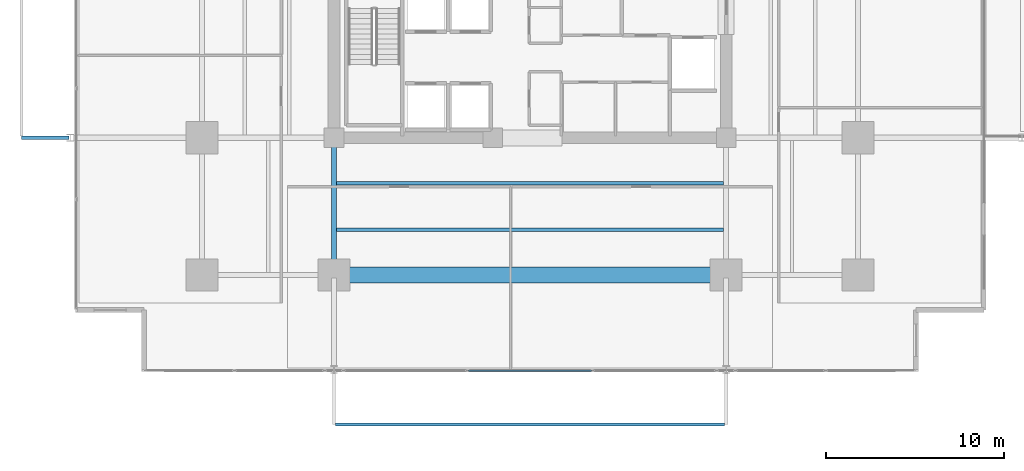
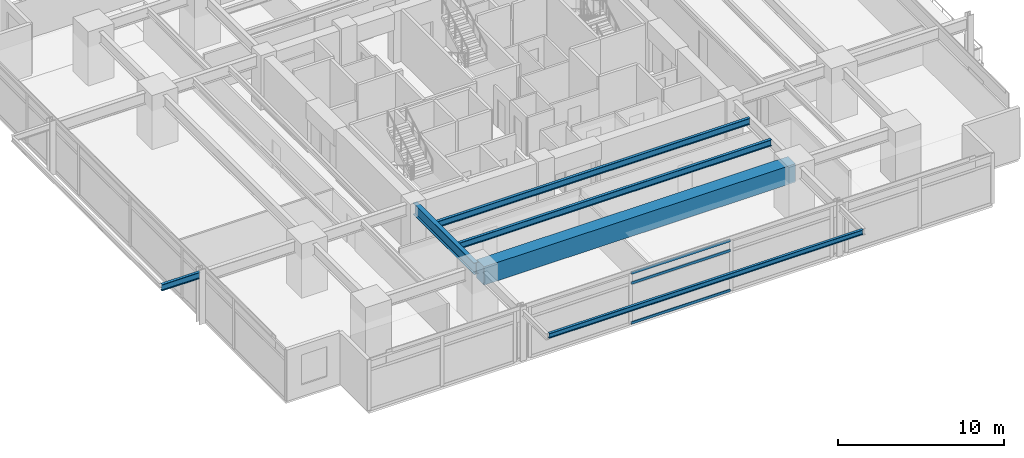
# One storey, part 5 of 21: 6 beams, 3 members, 1 element without a shape of its own.
"""IFC4 building model written with IfcOpenShell, lengths in metres."""

from ifc_helpers import new_model, si_unit, direction, frame, origin, origin_2d, place, context, subcontext, project, spatial, rectangle, hollow_rectangle, i_section, extrude, material, material_profile, profile_set, type_object, element, aggregate, save


model = new_model("IFC4")

# Units and contexts
model_context = context("Model", 3, precision=1e-05, world=origin(), true_north=direction((0.0, 1.0)))
body_context = subcontext(model_context, "Body", "Model", "MODEL_VIEW")
ifc_project = project(units=[si_unit("LENGTHUNIT", "METRE"), si_unit("AREAUNIT", "SQUARE_METRE"), si_unit("VOLUMEUNIT", "CUBIC_METRE"), si_unit("PLANEANGLEUNIT", "RADIAN"), si_unit("MASSUNIT", "GRAM", prefix="KILO")], contexts=[model_context])

# Site, building, storey
site_placement = place(None, origin())
site = spatial("IfcSite", under=ifc_project, at=site_placement, CompositionType="ELEMENT")
building_placement = place(site_placement, origin())
building = spatial("IfcBuilding", under=site, at=building_placement, Name="Kovane Verandah Tower", CompositionType="ELEMENT")
storey_placement = place(building_placement, frame((0.0, 0.0, 47.60009765625)))
storey = spatial("IfcBuildingStorey", under=building, at=storey_placement, Name="L10", CompositionType="ELEMENT", Elevation=47.60009765625)

# Beams
ifc_material_1 = material(Name="Concrete C80/95", Category="concrete")
ifc_material_profile_1 = material_profile(ifc_material_1, rectangle(XDim=0.89990234375, YDim=1.35009765625, at=origin_2d()), Name="RCB900x1350")
ifc_profile_set_1 = profile_set([ifc_material_profile_1], Name="Concrete C80/95")
beam_type_1 = type_object("IfcBeamType", Name="BM-TR-900x1350", PredefinedType="BEAM", material=ifc_profile_set_1)
beam_1_placement = place(storey_placement, frame((29.179931640625, 10.800048828125, 3.0849609375), z_axis=(1.0, 0.0, 0.0), x_axis=(0.0, 1.0, 0.0)))
element("IfcBeam", 1, at=beam_1_placement, inside=storey, type_object=beam_type_1, Name="L10 Primary Tower Girder G-RS2", PredefinedType="BEAM", context=body_context, shape_type="SweptSolid", body=[
    extrude(rectangle(XDim=0.89990234375, YDim=1.35009765625, at=origin_2d()), origin(), (0.0, 0.0, 1.0), 21.64013671875),
])
ifc_material_2 = material(Name="Steel S355", Category="steel")
ifc_material_profile_2 = material_profile(ifc_material_2, i_section(OverallWidth=0.293701171875, OverallDepth=0.850830078125, WebThickness=0.01611328125, FlangeThickness=0.02685546875, FilletRadius=0.017822265625, at=origin_2d()), Name="UB838x292x226")
ifc_profile_set_2 = profile_set([ifc_material_profile_2], Name="Steel S355")
beam_type_2 = type_object("IfcBeamType", Name="BM-UB838x226", PredefinedType="BEAM", material=ifc_profile_set_2)
beam_2_placement = place(storey_placement, frame((29.0, 18.320068359375, 3.33447265625), z_axis=(0.0, -1.0, 0.0), x_axis=(1.0, 0.0, 0.0)))
element("IfcBeam", 2, at=beam_2_placement, inside=storey, type_object=beam_type_2, Name="L10 Primary Tower Girder G-S1", PredefinedType="BEAM", context=body_context, shape_type="SweptSolid", body=[
    extrude(i_section(OverallWidth=0.293701171875, OverallDepth=0.850830078125, WebThickness=0.01611328125, FlangeThickness=0.02685546875, FilletRadius=0.017822265625, at=origin_2d()), origin(), (0.0, 0.0, 1.0), 7.340087890625),
])

# Curtain wall, members
ifc_material_3 = material(Name="Champagne Anodised Aluminium Frame with Low-E Clear Laminated Glass", Category="aluminium")
curtain_wall_type = type_object("IfcCurtainWallType", Name="CW-SYS-02-LOW", PredefinedType="NOTDEFINED", material=ifc_material_3)
curtain_wall_placement = place(storey_placement, origin())
curtain_wall = element("IfcCurtainWall", 3, at=curtain_wall_placement, inside=storey, type_object=curtain_wall_type, Name="L10 S Unitised Curtain Wall-2", PredefinedType="NOTDEFINED")
ifc_material_4 = material(Name="Champagne Anodised Aluminium 6063-T6", Category="aluminium")
ifc_material_profile_3 = material_profile(ifc_material_4, hollow_rectangle(XDim=0.0849609375, YDim=0.18994140625, WallThickness=0.00390625, at=origin_2d()), Name="AL85x190x4")
ifc_profile_set_3 = profile_set([ifc_material_profile_3], Name="Champagne Anodised Aluminium 6063-T6")
member_type = type_object("IfcMemberType", Name="CW-TRN-85x190", PredefinedType="USERDEFINED", material=ifc_profile_set_3)
member_1_placement = place(storey_placement, frame((36.556640625, 5.438720703125, 0.0498046875), z_axis=(1.0, 0.0, 0.0), x_axis=(0.0, 1.0, 0.0)))
member_1 = element("IfcMember", 4, at=member_1_placement, type_object=member_type, Name="L10 S Unitised Curtain Wall-2 Transom TB Bay 2", ObjectType="TRANSOM", PredefinedType="USERDEFINED", context=body_context, shape_type="SweptSolid", body=[
    extrude(hollow_rectangle(XDim=0.0849609375, YDim=0.18994140625, WallThickness=0.00390625, at=origin_2d()), origin(), (0.0, 0.0, 1.0), 6.88671875),
])
member_2_placement = place(storey_placement, frame((36.556640625, 5.438720703125, 2.97998046875), z_axis=(1.0, 0.0, 0.0), x_axis=(0.0, 1.0, 0.0)))
member_2 = element("IfcMember", 5, at=member_2_placement, type_object=member_type, Name="L10 S Unitised Curtain Wall-2 Transom TM Bay 2", ObjectType="TRANSOM", PredefinedType="USERDEFINED", context=body_context, shape_type="SweptSolid", body=[
    extrude(hollow_rectangle(XDim=0.0849609375, YDim=0.18994140625, WallThickness=0.00390625, at=origin_2d()), origin(), (0.0, 0.0, 1.0), 6.88671875),
])
member_3_placement = place(storey_placement, frame((36.556640625, 5.438720703125, 3.7099609375), z_axis=(1.0, 0.0, 0.0), x_axis=(0.0, 1.0, 0.0)))
member_3 = element("IfcMember", 6, at=member_3_placement, type_object=member_type, Name="L10 S Unitised Curtain Wall-2 Transom TT Bay 2", ObjectType="TRANSOM", PredefinedType="USERDEFINED", context=body_context, shape_type="SweptSolid", body=[
    extrude(hollow_rectangle(XDim=0.0849609375, YDim=0.18994140625, WallThickness=0.00390625, at=origin_2d()), origin(), (0.0, 0.0, 1.0), 6.88671875),
])
aggregate(curtain_wall, [member_1, member_2, member_3])

# Beams
ifc_material_profile_4 = material_profile(ifc_material_2, i_section(OverallWidth=0.19287109375, OverallDepth=0.46728515625, WebThickness=0.011474609375, FlangeThickness=0.01953125, FilletRadius=0.01025390625, at=origin_2d()), Name="UB457x191x98")
ifc_profile_set_4 = profile_set([ifc_material_profile_4], Name="Steel S355")
beam_type_3 = type_object("IfcBeamType", Name="JST-UB457x98", PredefinedType="JOIST", material=ifc_profile_set_4)
for number, where, z_axis, x_axis, name in (
    (7, (29.14501953125, 13.35009765625, 3.5263671875), (1.0, 0.0, 0.0), (0.0, 1.0, 0.0), "L10 Secondary Composite Joist J-S1"),
    (8, (29.14501953125, 15.949951171875, 3.5263671875), (1.0, 0.0, 0.0), (0.0, 1.0, 0.0), "L10 Secondary Composite Joist J-S2"),
):
    element("IfcBeam", number, at=place(storey_placement, frame(where, z_axis=z_axis, x_axis=x_axis)), inside=storey, type_object=beam_type_3, Name=name, PredefinedType="JOIST", context=body_context, shape_type="SweptSolid", body=[
        extrude(i_section(OverallWidth=0.19287109375, OverallDepth=0.46728515625, WebThickness=0.011474609375, FlangeThickness=0.01953125, FilletRadius=0.01025390625, at=origin_2d()), origin(), (0.0, 0.0, 1.0), 21.7099609375),
    ])
beam_3_placement = place(storey_placement, frame((14.1201171875, 18.5, 3.5263671875), z_axis=(-1.0, 0.0, 0.0), x_axis=(0.0, -1.0, 0.0)))
element("IfcBeam", 9, at=beam_3_placement, inside=storey, type_object=beam_type_3, Name="L10 West Planter Girder 1", PredefinedType="JOIST", context=body_context, shape_type="SweptSolid", body=[
    extrude(i_section(OverallWidth=0.19287109375, OverallDepth=0.46728515625, WebThickness=0.011474609375, FlangeThickness=0.01953125, FilletRadius=0.01025390625, at=origin_2d()), origin(), (0.0, 0.0, 1.0), 2.650390625),
])
ifc_material_profile_5 = material_profile(ifc_material_2, i_section(OverallWidth=0.173095703125, OverallDepth=0.36328125, WebThickness=0.009033203125, FlangeThickness=0.015625, FilletRadius=0.01025390625, at=origin_2d()), Name="UB356x171x67")
ifc_profile_set_5 = profile_set([ifc_material_profile_5], Name="Steel S355")
beam_type_4 = type_object("IfcBeamType", Name="SPD-UB356x67", PredefinedType="USERDEFINED", material=ifc_profile_set_5)
beam_4_placement = place(storey_placement, frame((29.094482421875, 2.40380859375, 3.578125), z_axis=(1.0, 0.0, 0.0), x_axis=(0.0, 1.0, 0.0)))
element("IfcBeam", 10, at=beam_4_placement, inside=storey, type_object=beam_type_4, Name="L10 South Planter Edge Spandrel", ObjectType="SPANDREL", PredefinedType="USERDEFINED", context=body_context, shape_type="SweptSolid", body=[
    extrude(i_section(OverallWidth=0.173095703125, OverallDepth=0.36328125, WebThickness=0.009033203125, FlangeThickness=0.015625, FilletRadius=0.01025390625, at=origin_2d()), origin(), (0.0, 0.0, 1.0), 21.81103515625),
])

save(model, "model.ifc")
